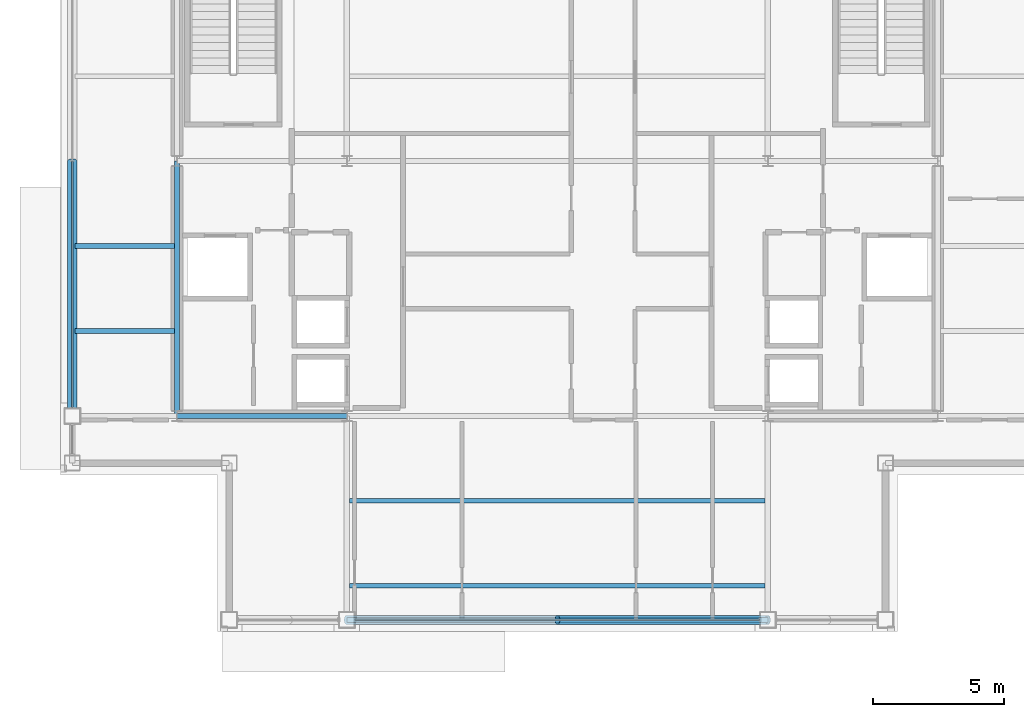
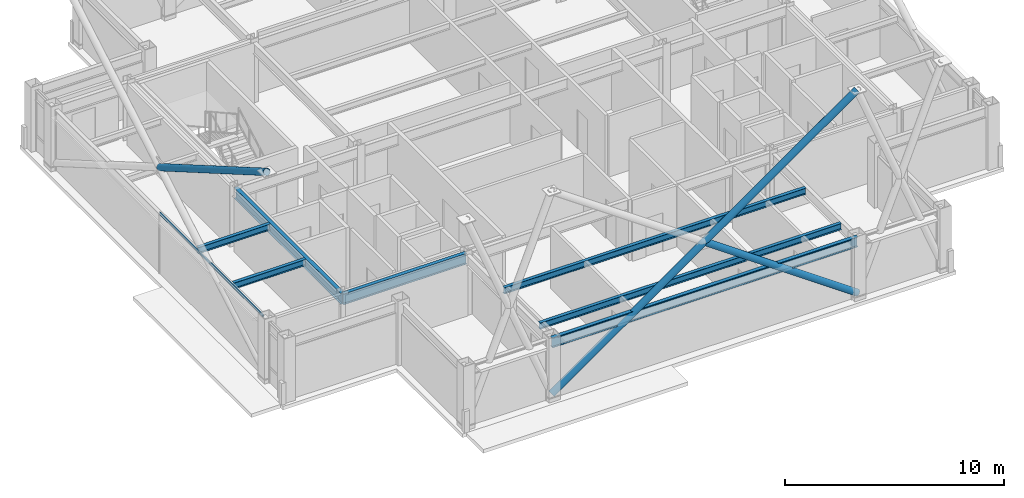
# One storey, part 5 of 24: 7 beams, 5 members, 2 elements without a shape of their own.
"""IFC4 building model written with IfcOpenShell, lengths in metres."""

from ifc_helpers import new_model, si_unit, direction, frame, origin, origin_2d, place, context, subcontext, project, spatial, hollow_rectangle, hollow_circle, i_section, extrude, material, layer, layer_set, material_profile, profile_set, type_object, element, aggregate, save


model = new_model("IFC4")

# Units and contexts
model_context = context("Model", 3, precision=1e-05, world=origin(), true_north=direction((0.0, 1.0)))
body_context = subcontext(model_context, "Body", "Model", "MODEL_VIEW")
ifc_project = project(units=[si_unit("LENGTHUNIT", "METRE"), si_unit("AREAUNIT", "SQUARE_METRE"), si_unit("VOLUMEUNIT", "CUBIC_METRE"), si_unit("PLANEANGLEUNIT", "RADIAN"), si_unit("MASSUNIT", "GRAM", prefix="KILO")], contexts=[model_context])

# Site, building, storey
site_placement = place(None, origin())
site = spatial("IfcSite", under=ifc_project, at=site_placement, CompositionType="ELEMENT")
building_placement = place(site_placement, origin())
building = spatial("IfcBuilding", under=site, at=building_placement, Name="Brelmoor Portico Tower", CompositionType="ELEMENT")
storey_placement = place(building_placement, frame((0.0, 0.0, 268.800048828125)))
storey = spatial("IfcBuildingStorey", under=building, at=storey_placement, Name="L71", CompositionType="ELEMENT", Elevation=268.800048828125)

# Beams
ifc_material_1 = material(Name="Steel Q355B", Category="steel")
ifc_material_profile_1 = material_profile(ifc_material_1, i_section(OverallWidth=0.175048828125, OverallDepth=0.35009765625, WebThickness=0.007080078125, FlangeThickness=0.010986328125, at=origin_2d()), Name="HN 350x175x7x11")
ifc_profile_set_1 = profile_set([ifc_material_profile_1], Name="Steel Q355B")
beam_type_1 = type_object("IfcBeamType", Name="BM-JS-350", PredefinedType="JOIST", material=ifc_profile_set_1)
for number, where, z_axis, x_axis, name in (
    (1, (-7.949951171875, -16.25, 3.224853515625), (1.0, 0.0, 0.0), (0.0, 1.0, 0.0), "L71 Secondary Composite Joist JS-C01"),
    (2, (-7.949951171875, -13.0, 3.224853515625), (1.0, 0.0, 0.0), (0.0, 1.0, 0.0), "L71 Secondary Composite Joist JS-C02"),
):
    element("IfcBeam", number, at=place(storey_placement, frame(where, z_axis=z_axis, x_axis=x_axis)), inside=storey, type_object=beam_type_1, Name=name, PredefinedType="JOIST", context=body_context, shape_type="SweptSolid", body=[
        extrude(i_section(OverallWidth=0.175048828125, OverallDepth=0.35009765625, WebThickness=0.007080078125, FlangeThickness=0.010986328125, at=origin_2d()), origin(), (0.0, 0.0, 1.0), 15.89990234375),
    ])
for number, where, z_axis, x_axis, name in (
    (3, (-18.449951171875, -6.5, 3.224853515625), (1.0, 0.0, 0.0), (0.0, 1.0, 0.0), "L71 Secondary Wing Joist JS-W07"),
    (4, (-18.449951171875, -3.25, 3.224853515625), (1.0, 0.0, 0.0), (0.0, 1.0, 0.0), "L71 Secondary Wing Joist JS-W08"),
):
    element("IfcBeam", number, at=place(storey_placement, frame(where, z_axis=z_axis, x_axis=x_axis)), inside=storey, type_object=beam_type_1, Name=name, PredefinedType="JOIST", context=body_context, shape_type="SweptSolid", body=[
        extrude(i_section(OverallWidth=0.175048828125, OverallDepth=0.35009765625, WebThickness=0.007080078125, FlangeThickness=0.010986328125, at=origin_2d()), origin(), (0.0, 0.0, 1.0), 3.800048828125),
    ])
ifc_material_profile_2 = material_profile(ifc_material_1, i_section(OverallWidth=0.199951171875, OverallDepth=0.60009765625, WebThickness=0.010986328125, FlangeThickness=0.01708984375, at=origin_2d()), Name="HN 600x200x11x17")
ifc_profile_set_2 = profile_set([ifc_material_profile_2], Name="Steel Q355B")
beam_type_2 = type_object("IfcBeamType", Name="BM-PG-600", PredefinedType="BEAM", material=ifc_profile_set_2)
beam_1_placement = place(storey_placement, frame((-14.550048828125, -9.75, 3.099853515625), z_axis=(0.0, 1.0, 0.0), x_axis=(-1.0, 0.0, 0.0)))
element("IfcBeam", 5, at=beam_1_placement, inside=storey, type_object=beam_type_2, Name="L71 Primary Floor Girder PG-01", PredefinedType="BEAM", context=body_context, shape_type="SweptSolid", body=[
    extrude(i_section(OverallWidth=0.199951171875, OverallDepth=0.60009765625, WebThickness=0.010986328125, FlangeThickness=0.01708984375, at=origin_2d()), origin(), (0.0, 0.0, 1.0), 9.75),
])
beam_2_placement = place(storey_placement, frame((-14.550048828125, -9.75, 3.099853515625), z_axis=(1.0, 0.0, 0.0), x_axis=(0.0, 1.0, 0.0)))
element("IfcBeam", 6, at=beam_2_placement, inside=storey, type_object=beam_type_2, Name="L71 Primary Floor Girder PG-12", PredefinedType="BEAM", context=body_context, shape_type="SweptSolid", body=[
    extrude(i_section(OverallWidth=0.199951171875, OverallDepth=0.60009765625, WebThickness=0.010986328125, FlangeThickness=0.01708984375, at=origin_2d()), origin(), (0.0, 0.0, 1.0), 6.5),
])
ifc_material_profile_3 = material_profile(ifc_material_1, i_section(OverallWidth=0.199951171875, OverallDepth=0.550048828125, WebThickness=0.010009765625, FlangeThickness=0.01611328125, at=origin_2d()), Name="HN 550x200x10x16")
ifc_profile_set_3 = profile_set([ifc_material_profile_3], Name="Steel Q355B")
beam_type_3 = type_object("IfcBeamType", Name="BM-SP-550", PredefinedType="SPANDREL", material=ifc_profile_set_3)
beam_3_placement = place(storey_placement, frame((-8.050048828125, -17.550048828125, 3.125), z_axis=(1.0, 0.0, 0.0), x_axis=(0.0, 1.0, 0.0)))
element("IfcBeam", 7, at=beam_3_placement, inside=storey, type_object=beam_type_3, Name="L71 Perimeter Spandrel Beam SP-02", PredefinedType="SPANDREL", context=body_context, shape_type="SweptSolid", body=[
    extrude(i_section(OverallWidth=0.199951171875, OverallDepth=0.550048828125, WebThickness=0.010009765625, FlangeThickness=0.01611328125, at=origin_2d()), origin(), (0.0, 0.0, 1.0), 16.10009765625),
])

# Members
ifc_material_profile_4 = material_profile(ifc_material_1, hollow_circle(Radius=0.177978515625, WallThickness=0.01611328125, at=origin_2d()), Name="CHS 356x16")
ifc_profile_set_4 = profile_set([ifc_material_profile_4], Name="Steel Q355B")
member_type_1 = type_object("IfcMemberType", Name="MB-BELT-DIAG2", PredefinedType="BRACE", material=ifc_profile_set_4)
member_1_placement = place(storey_placement, frame((-8.050048828125, -17.550048828125, 0.25), z_axis=(0.818515223471, 0.0, 0.574484837873), x_axis=(0.0, 1.0, 0.0)))
element("IfcMember", 8, at=member_1_placement, inside=storey, type_object=member_type_1, Name="L71 Continuous Mega-X Brace 156A", PredefinedType="BRACE", context=body_context, shape_type="SweptSolid", body=[
    extrude(hollow_circle(Radius=0.177978515625, WallThickness=0.01611328125, at=origin_2d()), origin(), (0.0, 0.0, 1.0), 19.669921875),
])
member_2_placement = place(storey_placement, frame((8.050048828125, -17.550048828125, 0.25), z_axis=(-0.818521059852, 0.0, 0.574476522218), x_axis=(0.0, -1.0, 0.0)))
element("IfcMember", 9, at=member_2_placement, inside=storey, type_object=member_type_1, Name="L71 Split Mega-X Brace 156B1", PredefinedType="BRACE", context=body_context, shape_type="SweptSolid", body=[
    extrude(hollow_circle(Radius=0.177978515625, WallThickness=0.01611328125, at=origin_2d()), origin(), (0.0, 0.0, 1.0), 9.8349609375),
])
member_3_placement = place(storey_placement, frame((-18.550048828125, 0.0, 5.89990234375), z_axis=(0.0, -0.865218054882, 0.501395769334), x_axis=(1.0, 0.0, 0.0)))
element("IfcMember", 10, at=member_3_placement, inside=storey, type_object=member_type_1, Name="L71 Split Mega-X Brace 161B2", PredefinedType="BRACE", context=body_context, shape_type="SweptSolid", body=[
    extrude(hollow_circle(Radius=0.177978515625, WallThickness=0.01611328125, at=origin_2d()), origin(), (0.0, 0.0, 1.0), 11.268798828125),
])

# Curtain wall, member
ifc_material_2 = material(Name="Anodised Aluminium Alloy 6063-T6", Category="aluminium")
ifc_layer = layer(ifc_material_2, 0.179931640625)
ifc_layer_set = layer_set([ifc_layer], Name="Anodised Aluminium Alloy 6063-T6")
curtain_wall_type = type_object("IfcCurtainWallType", Name="CW-TOWER-Z4-XB", PredefinedType="NOTDEFINED", material=ifc_layer_set)
curtain_wall_1_placement = place(storey_placement, origin())
curtain_wall_1 = element("IfcCurtainWall", 11, at=curtain_wall_1_placement, inside=storey, type_object=curtain_wall_type, Name="L71 Curtain Wall CW-L71-01-2", PredefinedType="NOTDEFINED")
ifc_material_profile_5 = material_profile(ifc_material_2, hollow_rectangle(XDim=0.06005859375, YDim=0.125, WallThickness=0.00341796875, at=origin_2d()), Name="ALU TRANSOM 60x125")
ifc_profile_set_5 = profile_set([ifc_material_profile_5], Name="Anodised Aluminium Alloy 6063-T6")
member_type_2 = type_object("IfcMemberType", Name="MB-CW-TRAN-125", PredefinedType="USERDEFINED", material=ifc_profile_set_5)
member_4_placement = place(storey_placement, frame((-7.739990234375, -17.550048828125, 3.33740234375), z_axis=(1.0, 0.0, 0.0), x_axis=(0.0, 1.0, 0.0)))
member_4 = element("IfcMember", 12, at=member_4_placement, type_object=member_type_2, Name="CW-L71-01-2 Transom 1-00", ObjectType="TRANSOM", PredefinedType="USERDEFINED", context=body_context, shape_type="SweptSolid", body=[
    extrude(hollow_rectangle(XDim=0.06005859375, YDim=0.125, WallThickness=0.00341796875, at=origin_2d()), origin(), (0.0, 0.0, 1.0), 15.47998046875),
])
aggregate(curtain_wall_1, [member_4])

curtain_wall_2_placement = place(storey_placement, origin())
curtain_wall_2 = element("IfcCurtainWall", 13, at=curtain_wall_2_placement, inside=storey, type_object=curtain_wall_type, Name="L71 Curtain Wall CW-L71-03-2", PredefinedType="NOTDEFINED")
member_5_placement = place(storey_placement, frame((-18.550048828125, -9.43994140625, 3.33740234375), z_axis=(0.0, 1.0, 0.0), x_axis=(-1.0, 0.0, 0.0)))
member_5 = element("IfcMember", 14, at=member_5_placement, type_object=member_type_2, Name="CW-L71-03-2 Transom 1-00", ObjectType="TRANSOM", PredefinedType="USERDEFINED", context=body_context, shape_type="SweptSolid", body=[
    extrude(hollow_rectangle(XDim=0.06005859375, YDim=0.125, WallThickness=0.00341796875, at=origin_2d()), origin(), (0.0, 0.0, 1.0), 9.43994140625),
])
aggregate(curtain_wall_2, [member_5])

save(model, "model.ifc")
